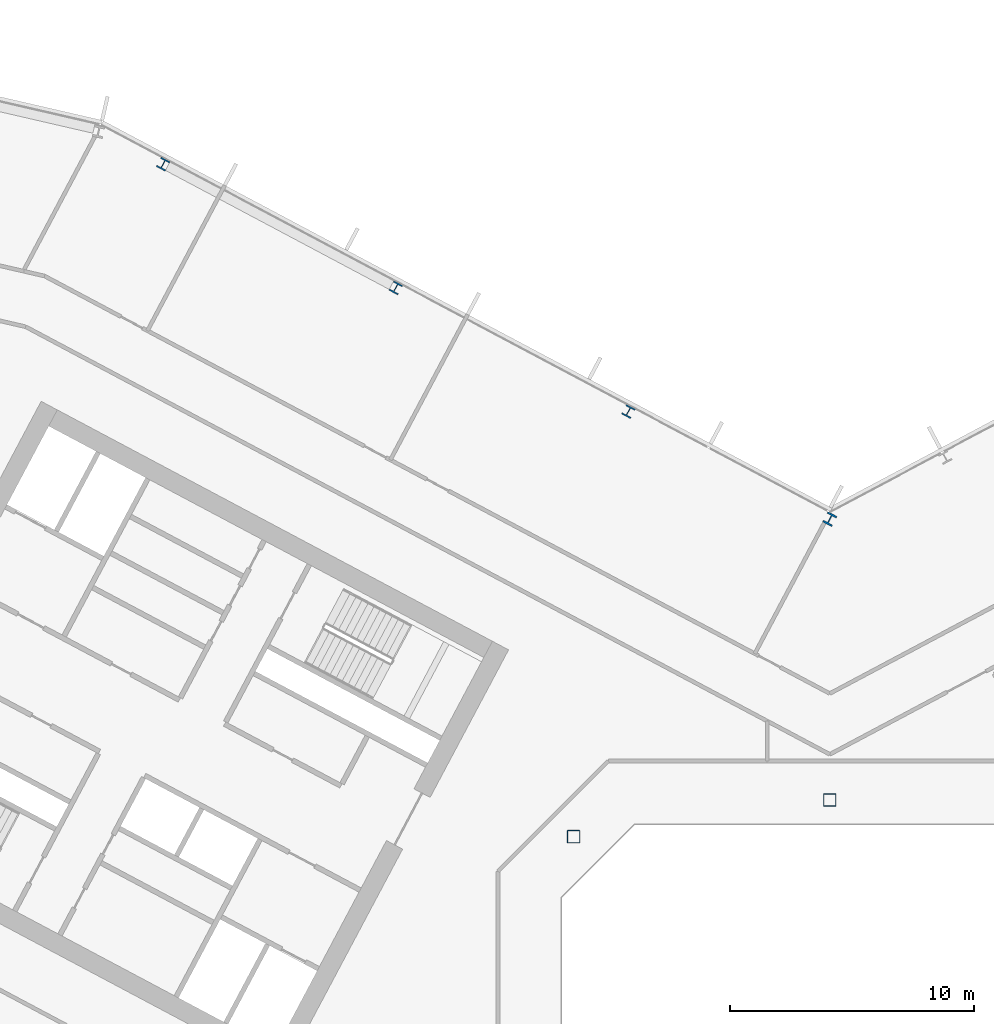
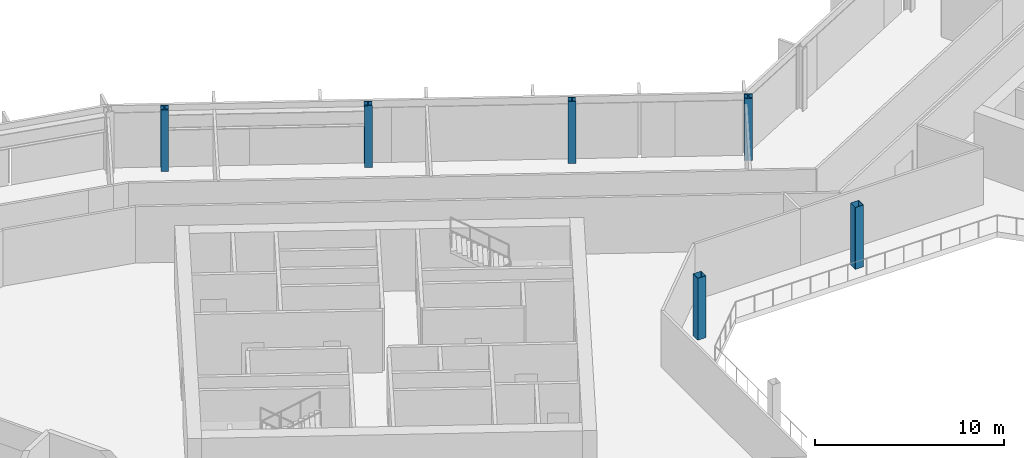
# One storey, part 4 of 28: 6 columns.
"""IFC4 building model written with IfcOpenShell, lengths in metres."""

from ifc_helpers import new_model, si_unit, direction, frame, origin, origin_2d, place, context, subcontext, project, spatial, hollow_rectangle, i_section, extrude, material, material_profile, profile_set, type_object, element, save


model = new_model("IFC4")

# Units and contexts
model_context = context("Model", 3, precision=1e-05, world=origin(), true_north=direction((0.0, 1.0)))
body_context = subcontext(model_context, "Body", "Model", "MODEL_VIEW")
ifc_project = project(units=[si_unit("LENGTHUNIT", "METRE"), si_unit("AREAUNIT", "SQUARE_METRE"), si_unit("VOLUMEUNIT", "CUBIC_METRE"), si_unit("PLANEANGLEUNIT", "RADIAN"), si_unit("MASSUNIT", "GRAM", prefix="KILO")], contexts=[model_context])

# Site, building, storey
site_placement = place(None, origin())
site = spatial("IfcSite", under=ifc_project, at=site_placement, CompositionType="ELEMENT")
building_placement = place(site_placement, origin())
building = spatial("IfcBuilding", under=site, at=building_placement, Name="Cormorant Relay Tower", CompositionType="ELEMENT")
storey_placement = place(building_placement, frame((0.0, 0.0, 158.199951171875)))
storey = spatial("IfcBuildingStorey", under=building, at=storey_placement, Name="L33", CompositionType="ELEMENT", Elevation=158.199951171875)

# Columns
ifc_material_1 = material(Name="Steel ASTM A500 Grade C (Fy 345 MPa)", Category="steel")
ifc_material_profile_1 = material_profile(ifc_material_1, hollow_rectangle(XDim=0.508056640625, YDim=0.508056640625, WallThickness=0.01171875, InnerFilletRadius=0.005859375, OuterFilletRadius=0.017822265625, at=origin_2d()), Name="HSS508x508x12")
ifc_profile_set_1 = profile_set([ifc_material_profile_1], Name="Steel ASTM A500 Grade C (Fy 345 MPa)")
column_type_1 = type_object("IfcColumnType", Name="Column HSS508x508x12", PredefinedType="COLUMN", material=ifc_profile_set_1)
for number, where, z_axis, x_axis, name in (
    (1, (-10.5, 10.5, 0.0), (0.0, 0.0, 1.0), (1.0, 0.0, 0.0), "Column L33-023"),
    (2, (0.0, 12.0, 0.0), (0.0, 0.0, 1.0), (1.0, 0.0, 0.0), "Column L33-025"),
):
    element("IfcColumn", number, at=place(storey_placement, frame(where, z_axis=z_axis, x_axis=x_axis)), inside=storey, type_object=column_type_1, Name=name, PredefinedType="COLUMN", context=body_context, shape_type="SweptSolid", body=[
        extrude(hollow_rectangle(XDim=0.508056640625, YDim=0.508056640625, WallThickness=0.01171875, InnerFilletRadius=0.005859375, OuterFilletRadius=0.017822265625, at=origin_2d()), origin(), (0.0, 0.0, 1.0), 4.0),
    ])
ifc_material_2 = material(Name="Steel ASTM A992 (Fy 345 MPa)", Category="steel")
ifc_material_profile_2 = material_profile(ifc_material_2, i_section(OverallWidth=0.41162109375, OverallDepth=0.434326171875, WebThickness=0.035888671875, FlangeThickness=0.057373046875, FilletRadius=0.01513671875, at=origin_2d()), Name="W360x463")
ifc_profile_set_2 = profile_set([ifc_material_profile_2], Name="Steel ASTM A992 (Fy 345 MPa)")
column_type_2 = type_object("IfcColumnType", Name="Column W360x463", PredefinedType="COLUMN", material=ifc_profile_set_2)
for number, where, z_axis, x_axis, name in (
    (3, (-8.257080078125, 27.925048828125, 0.0), (0.0, 0.0, 1.0), (-0.882947592859, 0.469471562786, 0.0), "Column L33-036"),
    (4, (-17.7919921875, 32.9951171875, 0.0), (0.0, 0.0, 1.0), (-0.882947592859, 0.469471562786, 0.0), "Column L33-040"),
    (5, (-27.327880859375, 38.06494140625, 0.0), (0.0, 0.0, 1.0), (-0.882947592859, 0.469471562786, 0.0), "Column L33-044"),
):
    element("IfcColumn", number, at=place(storey_placement, frame(where, z_axis=z_axis, x_axis=x_axis)), inside=storey, type_object=column_type_2, Name=name, PredefinedType="COLUMN", context=body_context, shape_type="SweptSolid", body=[
        extrude(i_section(OverallWidth=0.41162109375, OverallDepth=0.434326171875, WebThickness=0.035888671875, FlangeThickness=0.057373046875, FilletRadius=0.01513671875, at=origin_2d()), origin(), (0.0, 0.0, 1.0), 4.0),
    ])
ifc_material_3 = material(Name="Steel ASTM A992 (Fy 345 MPa)", Category="steel")
ifc_material_profile_3 = material_profile(ifc_material_3, i_section(OverallWidth=0.42431640625, OverallDepth=0.47509765625, WebThickness=0.0478515625, FlangeThickness=0.0771484375, FilletRadius=0.014892578125, at=origin_2d()), Name="W360x634")
ifc_profile_set_3 = profile_set([ifc_material_profile_3], Name="Steel ASTM A992 (Fy 345 MPa)")
column_type_3 = type_object("IfcColumnType", Name="Column W360x634", PredefinedType="COLUMN", material=ifc_profile_set_3)
column_placement = place(storey_placement, frame((0.0, 23.513916015625, 0.0), z_axis=(0.0, 0.0, 1.0), x_axis=(-0.882947592859, 0.469471562786, 0.0)))
element("IfcColumn", 6, at=column_placement, inside=storey, type_object=column_type_3, Name="Column L33-032", PredefinedType="COLUMN", context=body_context, shape_type="SweptSolid", body=[
    extrude(i_section(OverallWidth=0.42431640625, OverallDepth=0.47509765625, WebThickness=0.0478515625, FlangeThickness=0.0771484375, FilletRadius=0.014892578125, at=origin_2d()), origin(), (0.0, 0.0, 1.0), 4.0),
])

save(model, "model.ifc")
